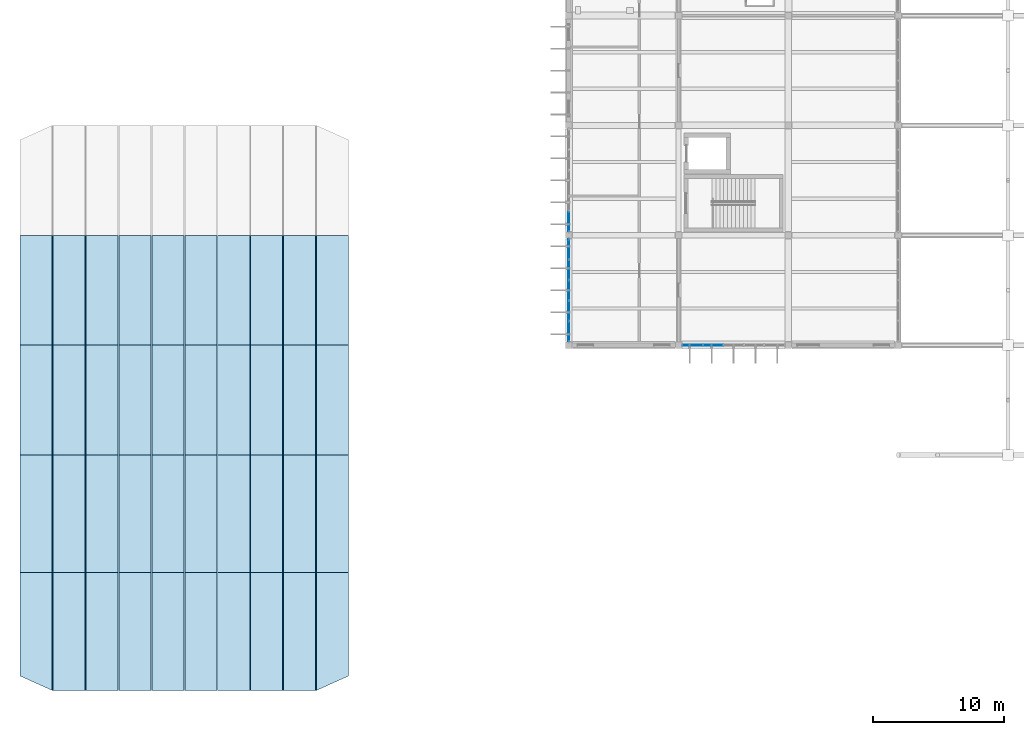
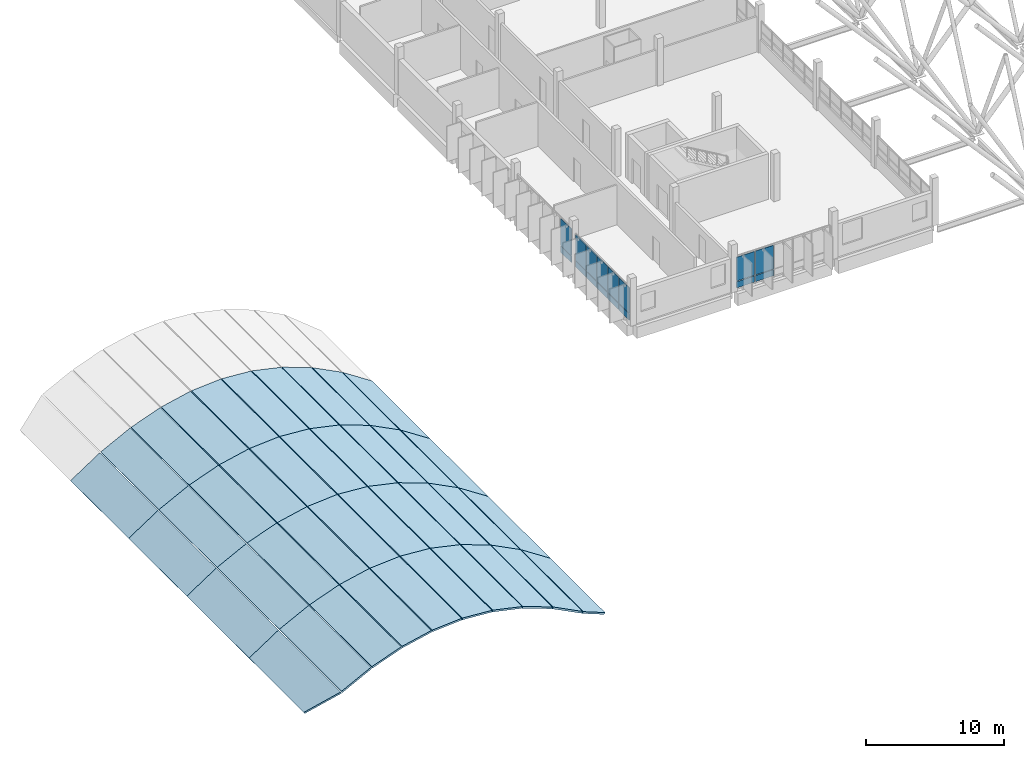
# One storey, part 72 of 107: 40 slabs, 16 plates, 4 elements without a shape of their own.
"""IFC4 building model written with IfcOpenShell, lengths in metres."""

from ifc_helpers import new_model, si_unit, direction, frame, origin, origin_2d, place, context, subcontext, project, spatial, polyline, rectangle, outline, extrude, material, layer, layer_set, type_object, element, aggregate, save


model = new_model("IFC4")

# Units and contexts
model_context = context("Model", 3, precision=1e-05, world=origin(), true_north=direction((0.0, 1.0)))
body_context = subcontext(model_context, "Body", "Model", "MODEL_VIEW")
ifc_project = project(units=[si_unit("LENGTHUNIT", "METRE"), si_unit("AREAUNIT", "SQUARE_METRE"), si_unit("VOLUMEUNIT", "CUBIC_METRE"), si_unit("PLANEANGLEUNIT", "RADIAN"), si_unit("MASSUNIT", "GRAM", prefix="KILO")], contexts=[model_context])

# Site, building, storey
site_placement = place(None, origin())
site = spatial("IfcSite", under=ifc_project, at=site_placement, CompositionType="ELEMENT")
building_placement = place(site_placement, origin())
building = spatial("IfcBuilding", under=site, at=building_placement, Name="Vireocrest Preparatory School", CompositionType="ELEMENT")
storey_placement = place(building_placement, frame((0.0, 0.0, 13.199951171875)))
storey = spatial("IfcBuildingStorey", under=building, at=storey_placement, Name="L03", CompositionType="ELEMENT", Elevation=13.199951171875)

# Curtain wall, plates
ifc_material_1 = material(Name="Thermally broken aluminium EN AW-6063-T6", Category="aluminium")
ifc_layer_1 = layer(ifc_material_1, 0.179931640625)
ifc_layer_set_1 = layer_set([ifc_layer_1], Name="Thermally broken aluminium EN AW-6063-T6")
curtain_wall_type_1 = type_object("IfcCurtainWallType", Name="Teaching Fin Curtain Wall 8400x4200", PredefinedType="USERDEFINED", material=ifc_layer_set_1)
curtain_wall_1_placement = place(storey_placement, origin())
curtain_wall_1 = element("IfcCurtainWall", 1, at=curtain_wall_1_placement, inside=storey, type_object=curtain_wall_type_1, Name="Curtain Wall CW03 CW_L03_CW03_0420_0356_132", ObjectType="CURTAIN WALL", PredefinedType="USERDEFINED")
ifc_material_2 = material(Name="Insulated triple low-e tempered safety glass", Category="glass")
ifc_layer_2 = layer(ifc_material_2, 0.074951171875)
ifc_layer_set_2 = layer_set([ifc_layer_2], Name="Insulated triple low-e tempered safety glass")
plate_type = type_object("IfcPlateType", Name="Acoustic Triple-Glazed Lab Curtain Panel 75", PredefinedType="CURTAIN_PANEL", material=ifc_layer_set_2)
plate_1_placement = place(storey_placement, frame((42.0, 36.468017578125, 0.12744140625), z_axis=(0.0, 0.0, 1.0), x_axis=(0.0, 1.0, 0.0)))
plate_1 = element("IfcPlate", 2, at=plate_1_placement, type_object=plate_type, Name="CW Panel GL2 CW_L03_CW03_0420_0356_132-1-1", PredefinedType="CURTAIN_PANEL", context=body_context, shape_type="SweptSolid", body=[
    extrude(rectangle(XDim=1.5009765625, YDim=0.074951171875, at=origin_2d()), origin(), (0.0, 0.0, 1.0), 0.5400390625),
])
plate_2_placement = place(storey_placement, frame((42.0, 36.468017578125, 0.732421875), z_axis=(0.0, 0.0, 1.0), x_axis=(0.0, 1.0, 0.0)))
plate_2 = element("IfcPlate", 3, at=plate_2_placement, type_object=plate_type, Name="CW Panel GL2 CW_L03_CW03_0420_0356_132-1-2", PredefinedType="CURTAIN_PANEL", context=body_context, shape_type="SweptSolid", body=[
    extrude(rectangle(XDim=1.5009765625, YDim=0.074951171875, at=origin_2d()), origin(), (0.0, 0.0, 1.0), 2.239990234375),
])
plate_3_placement = place(storey_placement, frame((42.0, 38.033935546875, 0.12744140625), z_axis=(0.0, 0.0, 1.0), x_axis=(0.0, 1.0, 0.0)))
plate_3 = element("IfcPlate", 4, at=plate_3_placement, type_object=plate_type, Name="CW Panel GL2 CW_L03_CW03_0420_0356_132-2-1", PredefinedType="CURTAIN_PANEL", context=body_context, shape_type="SweptSolid", body=[
    extrude(rectangle(XDim=1.5009765625, YDim=0.074951171875, at=origin_2d()), origin(), (0.0, 0.0, 1.0), 0.5400390625),
])
plate_4_placement = place(storey_placement, frame((42.0, 38.033935546875, 0.732421875), z_axis=(0.0, 0.0, 1.0), x_axis=(0.0, 1.0, 0.0)))
plate_4 = element("IfcPlate", 5, at=plate_4_placement, type_object=plate_type, Name="CW Panel GL2 CW_L03_CW03_0420_0356_132-2-2", PredefinedType="CURTAIN_PANEL", context=body_context, shape_type="SweptSolid", body=[
    extrude(rectangle(XDim=1.5009765625, YDim=0.074951171875, at=origin_2d()), origin(), (0.0, 0.0, 1.0), 2.239990234375),
])
plate_5_placement = place(storey_placement, frame((42.0, 39.60009765625, 0.12744140625), z_axis=(0.0, 0.0, 1.0), x_axis=(0.0, 1.0, 0.0)))
plate_5 = element("IfcPlate", 6, at=plate_5_placement, type_object=plate_type, Name="CW Panel GL2 CW_L03_CW03_0420_0356_132-3-1", PredefinedType="CURTAIN_PANEL", context=body_context, shape_type="SweptSolid", body=[
    extrude(rectangle(XDim=1.5009765625, YDim=0.074951171875, at=origin_2d()), origin(), (0.0, 0.0, 1.0), 0.5400390625),
])
plate_6_placement = place(storey_placement, frame((42.0, 39.60009765625, 0.732421875), z_axis=(0.0, 0.0, 1.0), x_axis=(0.0, 1.0, 0.0)))
plate_6 = element("IfcPlate", 7, at=plate_6_placement, type_object=plate_type, Name="CW Panel GL2 CW_L03_CW03_0420_0356_132-3-2", PredefinedType="CURTAIN_PANEL", context=body_context, shape_type="SweptSolid", body=[
    extrude(rectangle(XDim=1.5009765625, YDim=0.074951171875, at=origin_2d()), origin(), (0.0, 0.0, 1.0), 2.239990234375),
])
plate_7_placement = place(storey_placement, frame((42.0, 41.166015625, 0.12744140625), z_axis=(0.0, 0.0, 1.0), x_axis=(0.0, 1.0, 0.0)))
plate_7 = element("IfcPlate", 8, at=plate_7_placement, type_object=plate_type, Name="CW Panel GL2 CW_L03_CW03_0420_0356_132-4-1", PredefinedType="CURTAIN_PANEL", context=body_context, shape_type="SweptSolid", body=[
    extrude(rectangle(XDim=1.5009765625, YDim=0.074951171875, at=origin_2d()), origin(), (0.0, 0.0, 1.0), 0.5400390625),
])
plate_8_placement = place(storey_placement, frame((42.0, 41.166015625, 0.732421875), z_axis=(0.0, 0.0, 1.0), x_axis=(0.0, 1.0, 0.0)))
plate_8 = element("IfcPlate", 9, at=plate_8_placement, type_object=plate_type, Name="CW Panel GL2 CW_L03_CW03_0420_0356_132-4-2", PredefinedType="CURTAIN_PANEL", context=body_context, shape_type="SweptSolid", body=[
    extrude(rectangle(XDim=1.5009765625, YDim=0.074951171875, at=origin_2d()), origin(), (0.0, 0.0, 1.0), 2.239990234375),
])
plate_9_placement = place(storey_placement, frame((42.0, 42.73193359375, 0.12744140625), z_axis=(0.0, 0.0, 1.0), x_axis=(0.0, 1.0, 0.0)))
plate_9 = element("IfcPlate", 10, at=plate_9_placement, type_object=plate_type, Name="CW Panel GL2 CW_L03_CW03_0420_0356_132-5-1", PredefinedType="CURTAIN_PANEL", context=body_context, shape_type="SweptSolid", body=[
    extrude(rectangle(XDim=1.5009765625, YDim=0.074951171875, at=origin_2d()), origin(), (0.0, 0.0, 1.0), 0.5400390625),
])
plate_10_placement = place(storey_placement, frame((42.0, 42.73193359375, 0.732421875), z_axis=(0.0, 0.0, 1.0), x_axis=(0.0, 1.0, 0.0)))
plate_10 = element("IfcPlate", 11, at=plate_10_placement, type_object=plate_type, Name="CW Panel GL2 CW_L03_CW03_0420_0356_132-5-2", PredefinedType="CURTAIN_PANEL", context=body_context, shape_type="SweptSolid", body=[
    extrude(rectangle(XDim=1.5009765625, YDim=0.074951171875, at=origin_2d()), origin(), (0.0, 0.0, 1.0), 2.239990234375),
])
aggregate(curtain_wall_1, [plate_1, plate_2, plate_3, plate_4, plate_5, plate_6, plate_7, plate_8, plate_9, plate_10])

curtain_wall_2_placement = place(storey_placement, origin())
curtain_wall_2 = element("IfcCurtainWall", 12, at=curtain_wall_2_placement, inside=storey, type_object=curtain_wall_type_1, Name="Curtain Wall CW03 CW_L03_CW03_0420_0440_132", ObjectType="CURTAIN WALL", PredefinedType="USERDEFINED")
plate_11_placement = place(storey_placement, frame((42.0, 44.867919921875, 0.12744140625), z_axis=(0.0, 0.0, 1.0), x_axis=(0.0, 1.0, 0.0)))
plate_11 = element("IfcPlate", 13, at=plate_11_placement, type_object=plate_type, Name="CW Panel GL2 CW_L03_CW03_0420_0440_132-1-1", PredefinedType="CURTAIN_PANEL", context=body_context, shape_type="SweptSolid", body=[
    extrude(rectangle(XDim=1.5009765625, YDim=0.074951171875, at=origin_2d()), origin(), (0.0, 0.0, 1.0), 0.5400390625),
])
plate_12_placement = place(storey_placement, frame((42.0, 44.867919921875, 0.732421875), z_axis=(0.0, 0.0, 1.0), x_axis=(0.0, 1.0, 0.0)))
plate_12 = element("IfcPlate", 14, at=plate_12_placement, type_object=plate_type, Name="CW Panel GL2 CW_L03_CW03_0420_0440_132-1-2", PredefinedType="CURTAIN_PANEL", context=body_context, shape_type="SweptSolid", body=[
    extrude(rectangle(XDim=1.5009765625, YDim=0.074951171875, at=origin_2d()), origin(), (0.0, 0.0, 1.0), 2.3701171875),
])
aggregate(curtain_wall_2, [plate_11, plate_12])

ifc_layer_3 = layer(ifc_material_1, 0.179931640625)
ifc_layer_set_3 = layer_set([ifc_layer_3], Name="Thermally broken aluminium EN AW-6063-T6")
curtain_wall_type_2 = type_object("IfcCurtainWallType", Name="Library Reading Bay Glazing 7600x4200", PredefinedType="USERDEFINED", material=ifc_layer_set_3)
curtain_wall_3_placement = place(storey_placement, origin())
curtain_wall_3 = element("IfcCurtainWall", 15, at=curtain_wall_3_placement, inside=storey, type_object=curtain_wall_type_2, Name="Curtain Wall CW16 CW_L03_CW16_0506_0354_132", ObjectType="CURTAIN WALL", PredefinedType="USERDEFINED")
plate_13_placement = place(storey_placement, frame((51.468017578125, 35.39990234375, 0.12744140625), z_axis=(0.0, 0.0, 1.0), x_axis=(1.0, 0.0, 0.0)))
plate_13 = element("IfcPlate", 16, at=plate_13_placement, type_object=plate_type, Name="CW Panel GL2 CW_L03_CW16_0506_0354_132-1-1", PredefinedType="CURTAIN_PANEL", context=body_context, shape_type="SweptSolid", body=[
    extrude(rectangle(XDim=1.5009765625, YDim=0.074951171875, at=origin_2d()), origin(), (0.0, 0.0, 1.0), 0.5400390625),
])
plate_14_placement = place(storey_placement, frame((51.468017578125, 35.39990234375, 0.732421875), z_axis=(0.0, 0.0, 1.0), x_axis=(1.0, 0.0, 0.0)))
plate_14 = element("IfcPlate", 17, at=plate_14_placement, type_object=plate_type, Name="CW Panel GL2 CW_L03_CW16_0506_0354_132-1-2", PredefinedType="CURTAIN_PANEL", context=body_context, shape_type="SweptSolid", body=[
    extrude(rectangle(XDim=1.5009765625, YDim=0.074951171875, at=origin_2d()), origin(), (0.0, 0.0, 1.0), 2.090087890625),
])
plate_15_placement = place(storey_placement, frame((53.033935546875, 35.39990234375, 0.12744140625), z_axis=(0.0, 0.0, 1.0), x_axis=(1.0, 0.0, 0.0)))
plate_15 = element("IfcPlate", 18, at=plate_15_placement, type_object=plate_type, Name="CW Panel GL2 CW_L03_CW16_0506_0354_132-2-1", PredefinedType="CURTAIN_PANEL", context=body_context, shape_type="SweptSolid", body=[
    extrude(rectangle(XDim=1.5009765625, YDim=0.074951171875, at=origin_2d()), origin(), (0.0, 0.0, 1.0), 0.5400390625),
])
plate_16_placement = place(storey_placement, frame((53.033935546875, 35.39990234375, 0.732421875), z_axis=(0.0, 0.0, 1.0), x_axis=(1.0, 0.0, 0.0)))
plate_16 = element("IfcPlate", 19, at=plate_16_placement, type_object=plate_type, Name="CW Panel GL2 CW_L03_CW16_0506_0354_132-2-2", PredefinedType="CURTAIN_PANEL", context=body_context, shape_type="SweptSolid", body=[
    extrude(rectangle(XDim=1.5009765625, YDim=0.074951171875, at=origin_2d()), origin(), (0.0, 0.0, 1.0), 2.090087890625),
])
aggregate(curtain_wall_3, [plate_13, plate_14, plate_15, plate_16])

# Roof, slabs
ifc_material_3 = material(Name="Structural steel ASTM A992 Grade 50", Category="steel")
ifc_layer_4 = layer(ifc_material_3, 0.159912109375)
ifc_layer_set_4 = layer_set([ifc_layer_4], Name="Structural steel ASTM A992 Grade 50")
roof_type = type_object("IfcRoofType", Name="Exposed Steel Barrel Vault Roof Assembly", PredefinedType="BARREL_ROOF", material=ifc_layer_set_4)
roof_placement = place(storey_placement, origin())
roof = element("IfcRoof", 20, at=roof_placement, inside=storey, type_object=roof_type, Name="Sports Hall Barrel Vault Roof", PredefinedType="BARREL_ROOF")
ifc_material_4 = material(Name="Concrete 40 MPa", Category="concrete")
ifc_layer_5 = layer(ifc_material_4, 0.159912109375)
ifc_layer_set_5 = layer_set([ifc_layer_5], Name="Concrete 40 MPa")
slab_type = type_object("IfcSlabType", Name="Barrel Vault Insulated Composite Roof Deck 160", PredefinedType="ROOF", material=ifc_layer_set_5)
slab_1_placement = place(storey_placement, frame((0.034912109375, 10.10009765625, -4.232421875), z_axis=(-0.549114740494, 0.0, 0.835746972338), x_axis=(0.782473358363, -0.351317751374, 0.514112128841)))
slab_1 = element("IfcSlab", 21, at=slab_1_placement, type_object=slab_type, Name="Sports Hall Barrel Vault Roof Barrel Vault Roof Slab 1-1", PredefinedType="ROOF", context=body_context, shape_type="SweptSolid", body=[
    extrude(outline(polyline([(0.0, 0.0), (3.1313466283694518, 5.551115123125783e-17), (-0.030513133992776775, 8.426306595606087), (-2.775375927477132, 7.396333247087179), (0.0, 0.0)])), origin(), (0.0, 0.0, -1.0), 0.159912109375),
])
slab_2_placement = place(storey_placement, frame((2.554931640625, 9.0, -2.58154296875), z_axis=(-0.455111059789, 0.0, 0.890434682196), x_axis=(0.890434682196, 0.0, 0.455111059789)))
slab_2 = element("IfcSlab", 22, at=slab_2_placement, type_object=slab_type, Name="Sports Hall Barrel Vault Roof Barrel Vault Roof Slab 1-2", PredefinedType="ROOF", context=body_context, shape_type="SweptSolid", body=[
    extrude(outline(polyline([(0.0, 0.0), (2.7514103177480473, 0.0), (2.7514103177480473, 9.0), (0.0, 9.0), (0.0, 0.0)])), origin(), (0.0, 0.0, -1.0), 0.159912109375),
])
slab_3_placement = place(storey_placement, frame((5.074951171875, 9.0, -1.298583984375), z_axis=(-0.342892773142, 0.0, 0.9393745505), x_axis=(0.9393745505, 0.0, 0.342892773142)))
slab_3 = element("IfcSlab", 23, at=slab_3_placement, type_object=slab_type, Name="Sports Hall Barrel Vault Roof Barrel Vault Roof Slab 1-3", PredefinedType="ROOF", context=body_context, shape_type="SweptSolid", body=[
    extrude(outline(polyline([(0.0, 0.0), (2.6080663677456486, 0.0), (2.6080663677456486, 9.0), (0.0, 9.0), (0.0, 0.0)])), origin(), (0.0, 0.0, -1.0), 0.159912109375),
])
slab_4_placement = place(storey_placement, frame((7.594970703125, 9.0, -0.3837890625), z_axis=(-0.213961050229, 0.0, 0.976842192468), x_axis=(0.976842192468, 0.0, 0.213961050229)))
slab_4 = element("IfcSlab", 24, at=slab_4_placement, type_object=slab_type, Name="Sports Hall Barrel Vault Roof Barrel Vault Roof Slab 1-4", PredefinedType="ROOF", context=body_context, shape_type="SweptSolid", body=[
    extrude(outline(polyline([(0.0, 0.0), (2.5080316869667203, 0.0), (2.5080316869667203, 9.000000000000002), (0.0, 9.000000000000002), (0.0, 0.0)])), origin(), (0.0, 0.0, -1.0), 0.159912109375),
])
slab_5_placement = place(storey_placement, frame((10.114990234375, 9.0, 0.1630859375), z_axis=(-0.072850257923, 0.0, 0.997342889843), x_axis=(0.997342889843, 0.0, 0.072850257923)))
slab_5 = element("IfcSlab", 25, at=slab_5_placement, type_object=slab_type, Name="Sports Hall Barrel Vault Roof Barrel Vault Roof Slab 1-5", PredefinedType="ROOF", context=body_context, shape_type="SweptSolid", body=[
    extrude(outline(polyline([(0.0, 0.0), (2.4564783053302977, 0.0), (2.4564783053302977, 9.0), (0.0, 9.0), (0.0, 0.0)])), origin(), (0.0, 0.0, -1.0), 0.159912109375),
])
slab_6_placement = place(storey_placement, frame((12.635009765625, 9.0, 0.342041015625), z_axis=(0.072850257923, 0.0, 0.997342889843), x_axis=(0.997342889843, 0.0, -0.072850257923)))
slab_6 = element("IfcSlab", 26, at=slab_6_placement, type_object=slab_type, Name="Sports Hall Barrel Vault Roof Barrel Vault Roof Slab 1-6", PredefinedType="ROOF", context=body_context, shape_type="SweptSolid", body=[
    extrude(outline(polyline([(0.0, 0.0), (2.4564783053302977, 0.0), (2.4564783053302977, 9.0), (0.0, 9.0), (0.0, 0.0)])), origin(), (0.0, 0.0, -1.0), 0.159912109375),
])
slab_7_placement = place(storey_placement, frame((15.155029296875, 9.0, 0.15283203125), z_axis=(0.213961050229, 0.0, 0.976842192468), x_axis=(0.976842192468, 0.0, -0.213961050229)))
slab_7 = element("IfcSlab", 27, at=slab_7_placement, type_object=slab_type, Name="Sports Hall Barrel Vault Roof Barrel Vault Roof Slab 1-7", PredefinedType="ROOF", context=body_context, shape_type="SweptSolid", body=[
    extrude(outline(polyline([(0.0, 0.0), (2.5080316869667203, 0.0), (2.5080316869667203, 9.000000000000002), (0.0, 9.000000000000002), (0.0, 0.0)])), origin(), (0.0, 0.0, -1.0), 0.159912109375),
])
slab_8_placement = place(storey_placement, frame((17.675048828125, 9.0, -0.404296875), z_axis=(0.342892773142, 0.0, 0.9393745505), x_axis=(0.9393745505, 0.0, -0.342892773142)))
slab_8 = element("IfcSlab", 28, at=slab_8_placement, type_object=slab_type, Name="Sports Hall Barrel Vault Roof Barrel Vault Roof Slab 1-8", PredefinedType="ROOF", context=body_context, shape_type="SweptSolid", body=[
    extrude(outline(polyline([(0.0, 0.0), (2.6080663677456486, 0.0), (2.6080663677456486, 9.0), (0.0, 9.0), (0.0, 0.0)])), origin(), (0.0, 0.0, -1.0), 0.159912109375),
])
slab_9_placement = place(storey_placement, frame((20.195068359375, 9.0, -1.329345703125), z_axis=(0.455111059789, 0.0, 0.890434682196), x_axis=(0.890434682196, 0.0, -0.455111059789)))
slab_9 = element("IfcSlab", 29, at=slab_9_placement, type_object=slab_type, Name="Sports Hall Barrel Vault Roof Barrel Vault Roof Slab 1-9", PredefinedType="ROOF", context=body_context, shape_type="SweptSolid", body=[
    extrude(outline(polyline([(0.0, 0.0), (2.7514103177480473, 0.0), (2.7514103177480473, 9.0), (0.0, 9.0), (0.0, 0.0)])), origin(), (0.0, 0.0, -1.0), 0.159912109375),
])
slab_10_placement = place(storey_placement, frame((22.715087890625, 9.0, -2.62255859375), z_axis=(0.549152959182, 0.0, 0.835721860084), x_axis=(0.782443125161, 0.35133918505, -0.5141434945)))
slab_10 = element("IfcSlab", 30, at=slab_10_placement, type_object=slab_type, Name="Sports Hall Barrel Vault Roof Barrel Vault Roof Slab 1-10", PredefinedType="ROOF", context=body_context, shape_type="SweptSolid", body=[
    extrude(outline(polyline([(0.0, 0.0), (3.1311555985251585, -5.551115123125783e-17), (5.90670084995142, 7.396269708310524), (3.1620526654483494, 8.426234208763185), (0.0, 0.0)])), origin(), (0.0, 0.0, -1.0), 0.159912109375),
])
slab_11_placement = place(storey_placement, frame((0.034912109375, 18.0, -4.232421875), z_axis=(-0.549114740494, 0.0, 0.835746972338), x_axis=(0.835746972338, 0.0, 0.549114740494)))
slab_11 = element("IfcSlab", 31, at=slab_11_placement, type_object=slab_type, Name="Sports Hall Barrel Vault Roof Barrel Vault Roof Slab 2-1", PredefinedType="ROOF", context=body_context, shape_type="SweptSolid", body=[
    extrude(outline(polyline([(0.0, 0.0), (2.9317429719731556, 0.0), (2.9317429719731556, 9.0), (0.0, 9.0), (0.0, 0.0)])), origin(), (0.0, 0.0, -1.0), 0.159912109375),
])
slab_12_placement = place(storey_placement, frame((2.554931640625, 18.0, -2.58154296875), z_axis=(-0.455111059789, 0.0, 0.890434682196), x_axis=(0.890434682196, 0.0, 0.455111059789)))
slab_12 = element("IfcSlab", 32, at=slab_12_placement, type_object=slab_type, Name="Sports Hall Barrel Vault Roof Barrel Vault Roof Slab 2-2", PredefinedType="ROOF", context=body_context, shape_type="SweptSolid", body=[
    extrude(outline(polyline([(0.0, 0.0), (2.7514103177480473, 0.0), (2.7514103177480473, 9.0), (0.0, 9.0), (0.0, 0.0)])), origin(), (0.0, 0.0, -1.0), 0.159912109375),
])
slab_13_placement = place(storey_placement, frame((5.074951171875, 18.0, -1.298583984375), z_axis=(-0.342892773142, 0.0, 0.9393745505), x_axis=(0.9393745505, 0.0, 0.342892773142)))
slab_13 = element("IfcSlab", 33, at=slab_13_placement, type_object=slab_type, Name="Sports Hall Barrel Vault Roof Barrel Vault Roof Slab 2-3", PredefinedType="ROOF", context=body_context, shape_type="SweptSolid", body=[
    extrude(outline(polyline([(0.0, 0.0), (2.6080663677456486, 0.0), (2.6080663677456486, 9.0), (0.0, 9.0), (0.0, 0.0)])), origin(), (0.0, 0.0, -1.0), 0.159912109375),
])
slab_14_placement = place(storey_placement, frame((7.594970703125, 18.0, -0.3837890625), z_axis=(-0.213961050229, 0.0, 0.976842192468), x_axis=(0.976842192468, 0.0, 0.213961050229)))
slab_14 = element("IfcSlab", 34, at=slab_14_placement, type_object=slab_type, Name="Sports Hall Barrel Vault Roof Barrel Vault Roof Slab 2-4", PredefinedType="ROOF", context=body_context, shape_type="SweptSolid", body=[
    extrude(outline(polyline([(0.0, 0.0), (2.5080316869667203, 0.0), (2.5080316869667203, 9.000000000000002), (0.0, 9.000000000000002), (0.0, 0.0)])), origin(), (0.0, 0.0, -1.0), 0.159912109375),
])
slab_15_placement = place(storey_placement, frame((10.114990234375, 18.0, 0.1630859375), z_axis=(-0.072850257923, 0.0, 0.997342889843), x_axis=(0.997342889843, 0.0, 0.072850257923)))
slab_15 = element("IfcSlab", 35, at=slab_15_placement, type_object=slab_type, Name="Sports Hall Barrel Vault Roof Barrel Vault Roof Slab 2-5", PredefinedType="ROOF", context=body_context, shape_type="SweptSolid", body=[
    extrude(outline(polyline([(0.0, 0.0), (2.4564783053302977, 0.0), (2.4564783053302977, 9.0), (0.0, 9.0), (0.0, 0.0)])), origin(), (0.0, 0.0, -1.0), 0.159912109375),
])
slab_16_placement = place(storey_placement, frame((12.635009765625, 18.0, 0.342041015625), z_axis=(0.072850257923, 0.0, 0.997342889843), x_axis=(0.997342889843, 0.0, -0.072850257923)))
slab_16 = element("IfcSlab", 36, at=slab_16_placement, type_object=slab_type, Name="Sports Hall Barrel Vault Roof Barrel Vault Roof Slab 2-6", PredefinedType="ROOF", context=body_context, shape_type="SweptSolid", body=[
    extrude(outline(polyline([(0.0, 0.0), (2.4564783053302977, 0.0), (2.4564783053302977, 9.0), (0.0, 9.0), (0.0, 0.0)])), origin(), (0.0, 0.0, -1.0), 0.159912109375),
])
slab_17_placement = place(storey_placement, frame((15.155029296875, 18.0, 0.15283203125), z_axis=(0.213961050229, 0.0, 0.976842192468), x_axis=(0.976842192468, 0.0, -0.213961050229)))
slab_17 = element("IfcSlab", 37, at=slab_17_placement, type_object=slab_type, Name="Sports Hall Barrel Vault Roof Barrel Vault Roof Slab 2-7", PredefinedType="ROOF", context=body_context, shape_type="SweptSolid", body=[
    extrude(outline(polyline([(0.0, 0.0), (2.5080316869667203, 0.0), (2.5080316869667203, 9.000000000000002), (0.0, 9.000000000000002), (0.0, 0.0)])), origin(), (0.0, 0.0, -1.0), 0.159912109375),
])
slab_18_placement = place(storey_placement, frame((17.675048828125, 18.0, -0.404296875), z_axis=(0.342892773142, 0.0, 0.9393745505), x_axis=(0.9393745505, 0.0, -0.342892773142)))
slab_18 = element("IfcSlab", 38, at=slab_18_placement, type_object=slab_type, Name="Sports Hall Barrel Vault Roof Barrel Vault Roof Slab 2-8", PredefinedType="ROOF", context=body_context, shape_type="SweptSolid", body=[
    extrude(outline(polyline([(0.0, 0.0), (2.6080663677456486, 0.0), (2.6080663677456486, 9.0), (0.0, 9.0), (0.0, 0.0)])), origin(), (0.0, 0.0, -1.0), 0.159912109375),
])
slab_19_placement = place(storey_placement, frame((20.195068359375, 18.0, -1.329345703125), z_axis=(0.455111059789, 0.0, 0.890434682196), x_axis=(0.890434682196, 0.0, -0.455111059789)))
slab_19 = element("IfcSlab", 39, at=slab_19_placement, type_object=slab_type, Name="Sports Hall Barrel Vault Roof Barrel Vault Roof Slab 2-9", PredefinedType="ROOF", context=body_context, shape_type="SweptSolid", body=[
    extrude(outline(polyline([(0.0, 0.0), (2.7514103177480473, 0.0), (2.7514103177480473, 9.0), (0.0, 9.0), (0.0, 0.0)])), origin(), (0.0, 0.0, -1.0), 0.159912109375),
])
slab_20_placement = place(storey_placement, frame((22.715087890625, 18.0, -2.62255859375), z_axis=(0.549152959182, 0.0, 0.835721860084), x_axis=(0.835721860084, 0.0, -0.549152959182)))
slab_20 = element("IfcSlab", 40, at=slab_20_placement, type_object=slab_type, Name="Sports Hall Barrel Vault Roof Barrel Vault Roof Slab 2-10", PredefinedType="ROOF", context=body_context, shape_type="SweptSolid", body=[
    extrude(outline(polyline([(0.0, 0.0), (2.931538935250341, 0.0), (2.931538935250341, 9.0), (0.0, 9.0), (0.0, 0.0)])), origin(), (0.0, 0.0, -1.0), 0.159912109375),
])
slab_21_placement = place(storey_placement, frame((0.034912109375, 27.0, -4.232421875), z_axis=(-0.549114740494, 0.0, 0.835746972338), x_axis=(0.835746972338, 0.0, 0.549114740494)))
slab_21 = element("IfcSlab", 41, at=slab_21_placement, type_object=slab_type, Name="Sports Hall Barrel Vault Roof Barrel Vault Roof Slab 3-1", PredefinedType="ROOF", context=body_context, shape_type="SweptSolid", body=[
    extrude(outline(polyline([(0.0, 0.0), (2.9317429719731556, 0.0), (2.9317429719731556, 8.39990234375), (0.0, 8.39990234375), (0.0, 0.0)])), origin(), (0.0, 0.0, -1.0), 0.159912109375),
])
slab_22_placement = place(storey_placement, frame((2.554931640625, 27.0, -2.58154296875), z_axis=(-0.455111059789, 0.0, 0.890434682196), x_axis=(0.890434682196, 0.0, 0.455111059789)))
slab_22 = element("IfcSlab", 42, at=slab_22_placement, type_object=slab_type, Name="Sports Hall Barrel Vault Roof Barrel Vault Roof Slab 3-2", PredefinedType="ROOF", context=body_context, shape_type="SweptSolid", body=[
    extrude(outline(polyline([(0.0, 0.0), (2.7514103177480473, 0.0), (2.7514103177480473, 8.39990234375), (0.0, 8.39990234375), (0.0, 0.0)])), origin(), (0.0, 0.0, -1.0), 0.159912109375),
])
slab_23_placement = place(storey_placement, frame((5.074951171875, 27.0, -1.298583984375), z_axis=(-0.342892773142, 0.0, 0.9393745505), x_axis=(0.9393745505, 0.0, 0.342892773142)))
slab_23 = element("IfcSlab", 43, at=slab_23_placement, type_object=slab_type, Name="Sports Hall Barrel Vault Roof Barrel Vault Roof Slab 3-3", PredefinedType="ROOF", context=body_context, shape_type="SweptSolid", body=[
    extrude(outline(polyline([(0.0, 0.0), (2.6080663677456486, 0.0), (2.6080663677456486, 8.399902343750002), (0.0, 8.399902343750002), (0.0, 0.0)])), origin(), (0.0, 0.0, -1.0), 0.159912109375),
])
slab_24_placement = place(storey_placement, frame((7.594970703125, 27.0, -0.3837890625), z_axis=(-0.213961050229, 0.0, 0.976842192468), x_axis=(0.976842192468, 0.0, 0.213961050229)))
slab_24 = element("IfcSlab", 44, at=slab_24_placement, type_object=slab_type, Name="Sports Hall Barrel Vault Roof Barrel Vault Roof Slab 3-4", PredefinedType="ROOF", context=body_context, shape_type="SweptSolid", body=[
    extrude(outline(polyline([(0.0, 0.0), (2.5080316869667203, 0.0), (2.5080316869667203, 8.39990234375), (0.0, 8.39990234375), (0.0, 0.0)])), origin(), (0.0, 0.0, -1.0), 0.159912109375),
])
slab_25_placement = place(storey_placement, frame((10.114990234375, 27.0, 0.1630859375), z_axis=(-0.072850257923, 0.0, 0.997342889843), x_axis=(0.997342889843, 0.0, 0.072850257923)))
slab_25 = element("IfcSlab", 45, at=slab_25_placement, type_object=slab_type, Name="Sports Hall Barrel Vault Roof Barrel Vault Roof Slab 3-5", PredefinedType="ROOF", context=body_context, shape_type="SweptSolid", body=[
    extrude(outline(polyline([(0.0, 0.0), (2.4564783053302977, 0.0), (2.4564783053302977, 8.399902343750002), (0.0, 8.399902343750002), (0.0, 0.0)])), origin(), (0.0, 0.0, -1.0), 0.159912109375),
])
slab_26_placement = place(storey_placement, frame((12.635009765625, 27.0, 0.342041015625), z_axis=(0.072850257923, 0.0, 0.997342889843), x_axis=(0.997342889843, 0.0, -0.072850257923)))
slab_26 = element("IfcSlab", 46, at=slab_26_placement, type_object=slab_type, Name="Sports Hall Barrel Vault Roof Barrel Vault Roof Slab 3-6", PredefinedType="ROOF", context=body_context, shape_type="SweptSolid", body=[
    extrude(outline(polyline([(0.0, 0.0), (2.4564783053302977, 0.0), (2.4564783053302977, 8.399902343750002), (0.0, 8.399902343750002), (0.0, 0.0)])), origin(), (0.0, 0.0, -1.0), 0.159912109375),
])
slab_27_placement = place(storey_placement, frame((15.155029296875, 27.0, 0.15283203125), z_axis=(0.213961050229, 0.0, 0.976842192468), x_axis=(0.976842192468, 0.0, -0.213961050229)))
slab_27 = element("IfcSlab", 47, at=slab_27_placement, type_object=slab_type, Name="Sports Hall Barrel Vault Roof Barrel Vault Roof Slab 3-7", PredefinedType="ROOF", context=body_context, shape_type="SweptSolid", body=[
    extrude(outline(polyline([(0.0, 0.0), (2.5080316869667203, 0.0), (2.5080316869667203, 8.39990234375), (0.0, 8.39990234375), (0.0, 0.0)])), origin(), (0.0, 0.0, -1.0), 0.159912109375),
])
slab_28_placement = place(storey_placement, frame((17.675048828125, 27.0, -0.404296875), z_axis=(0.342892773142, 0.0, 0.9393745505), x_axis=(0.9393745505, 0.0, -0.342892773142)))
slab_28 = element("IfcSlab", 48, at=slab_28_placement, type_object=slab_type, Name="Sports Hall Barrel Vault Roof Barrel Vault Roof Slab 3-8", PredefinedType="ROOF", context=body_context, shape_type="SweptSolid", body=[
    extrude(outline(polyline([(0.0, 0.0), (2.6080663677456486, 0.0), (2.6080663677456486, 8.399902343750002), (0.0, 8.399902343750002), (0.0, 0.0)])), origin(), (0.0, 0.0, -1.0), 0.159912109375),
])
slab_29_placement = place(storey_placement, frame((20.195068359375, 27.0, -1.329345703125), z_axis=(0.455111059789, 0.0, 0.890434682196), x_axis=(0.890434682196, 0.0, -0.455111059789)))
slab_29 = element("IfcSlab", 49, at=slab_29_placement, type_object=slab_type, Name="Sports Hall Barrel Vault Roof Barrel Vault Roof Slab 3-9", PredefinedType="ROOF", context=body_context, shape_type="SweptSolid", body=[
    extrude(outline(polyline([(0.0, 0.0), (2.7514103177480473, 0.0), (2.7514103177480473, 8.39990234375), (0.0, 8.39990234375), (0.0, 0.0)])), origin(), (0.0, 0.0, -1.0), 0.159912109375),
])
slab_30_placement = place(storey_placement, frame((22.715087890625, 27.0, -2.62255859375), z_axis=(0.549152959182, 0.0, 0.835721860084), x_axis=(0.835721860084, 0.0, -0.549152959182)))
slab_30 = element("IfcSlab", 50, at=slab_30_placement, type_object=slab_type, Name="Sports Hall Barrel Vault Roof Barrel Vault Roof Slab 3-10", PredefinedType="ROOF", context=body_context, shape_type="SweptSolid", body=[
    extrude(outline(polyline([(0.0, 0.0), (2.931538935250341, 0.0), (2.931538935250341, 8.39990234375), (0.0, 8.39990234375), (0.0, 0.0)])), origin(), (0.0, 0.0, -1.0), 0.159912109375),
])
slab_31_placement = place(storey_placement, frame((0.034912109375, 35.39990234375, -4.232421875), z_axis=(-0.549114740494, 0.0, 0.835746972338), x_axis=(0.835746972338, 0.0, 0.549114740494)))
slab_31 = element("IfcSlab", 51, at=slab_31_placement, type_object=slab_type, Name="Sports Hall Barrel Vault Roof Barrel Vault Roof Slab 4-1", PredefinedType="ROOF", context=body_context, shape_type="SweptSolid", body=[
    extrude(outline(polyline([(0.0, 0.0), (2.9317429719731556, 0.0), (2.9317429719731556, 8.400146484375002), (0.0, 8.400146484375002), (0.0, 0.0)])), origin(), (0.0, 0.0, -1.0), 0.159912109375),
])
slab_32_placement = place(storey_placement, frame((2.554931640625, 35.39990234375, -2.58154296875), z_axis=(-0.455111059789, 0.0, 0.890434682196), x_axis=(0.890434682196, 0.0, 0.455111059789)))
slab_32 = element("IfcSlab", 52, at=slab_32_placement, type_object=slab_type, Name="Sports Hall Barrel Vault Roof Barrel Vault Roof Slab 4-2", PredefinedType="ROOF", context=body_context, shape_type="SweptSolid", body=[
    extrude(outline(polyline([(0.0, 0.0), (2.7514103177480473, 0.0), (2.7514103177480473, 8.400146484375), (0.0, 8.400146484375), (0.0, 0.0)])), origin(), (0.0, 0.0, -1.0), 0.159912109375),
])
slab_33_placement = place(storey_placement, frame((5.074951171875, 35.39990234375, -1.298583984375), z_axis=(-0.342892773142, 0.0, 0.9393745505), x_axis=(0.9393745505, 0.0, 0.342892773142)))
slab_33 = element("IfcSlab", 53, at=slab_33_placement, type_object=slab_type, Name="Sports Hall Barrel Vault Roof Barrel Vault Roof Slab 4-3", PredefinedType="ROOF", context=body_context, shape_type="SweptSolid", body=[
    extrude(outline(polyline([(0.0, 0.0), (2.6080663677456486, 0.0), (2.6080663677456486, 8.400146484375), (0.0, 8.400146484375), (0.0, 0.0)])), origin(), (0.0, 0.0, -1.0), 0.159912109375),
])
slab_34_placement = place(storey_placement, frame((7.594970703125, 35.39990234375, -0.3837890625), z_axis=(-0.213961050229, 0.0, 0.976842192468), x_axis=(0.976842192468, 0.0, 0.213961050229)))
slab_34 = element("IfcSlab", 54, at=slab_34_placement, type_object=slab_type, Name="Sports Hall Barrel Vault Roof Barrel Vault Roof Slab 4-4", PredefinedType="ROOF", context=body_context, shape_type="SweptSolid", body=[
    extrude(outline(polyline([(0.0, 0.0), (2.5080316869667203, 0.0), (2.5080316869667203, 8.400146484375), (0.0, 8.400146484375), (0.0, 0.0)])), origin(), (0.0, 0.0, -1.0), 0.159912109375),
])
slab_35_placement = place(storey_placement, frame((10.114990234375, 35.39990234375, 0.1630859375), z_axis=(-0.072850257923, 0.0, 0.997342889843), x_axis=(0.997342889843, 0.0, 0.072850257923)))
slab_35 = element("IfcSlab", 55, at=slab_35_placement, type_object=slab_type, Name="Sports Hall Barrel Vault Roof Barrel Vault Roof Slab 4-5", PredefinedType="ROOF", context=body_context, shape_type="SweptSolid", body=[
    extrude(outline(polyline([(0.0, 0.0), (2.4564783053302977, 0.0), (2.4564783053302977, 8.400146484375), (0.0, 8.400146484375), (0.0, 0.0)])), origin(), (0.0, 0.0, -1.0), 0.159912109375),
])
slab_36_placement = place(storey_placement, frame((12.635009765625, 35.39990234375, 0.342041015625), z_axis=(0.072850257923, 0.0, 0.997342889843), x_axis=(0.997342889843, 0.0, -0.072850257923)))
slab_36 = element("IfcSlab", 56, at=slab_36_placement, type_object=slab_type, Name="Sports Hall Barrel Vault Roof Barrel Vault Roof Slab 4-6", PredefinedType="ROOF", context=body_context, shape_type="SweptSolid", body=[
    extrude(outline(polyline([(0.0, 0.0), (2.4564783053302977, 0.0), (2.4564783053302977, 8.400146484375), (0.0, 8.400146484375), (0.0, 0.0)])), origin(), (0.0, 0.0, -1.0), 0.159912109375),
])
slab_37_placement = place(storey_placement, frame((15.155029296875, 35.39990234375, 0.15283203125), z_axis=(0.213961050229, 0.0, 0.976842192468), x_axis=(0.976842192468, 0.0, -0.213961050229)))
slab_37 = element("IfcSlab", 57, at=slab_37_placement, type_object=slab_type, Name="Sports Hall Barrel Vault Roof Barrel Vault Roof Slab 4-7", PredefinedType="ROOF", context=body_context, shape_type="SweptSolid", body=[
    extrude(outline(polyline([(0.0, 0.0), (2.5080316869667203, 0.0), (2.5080316869667203, 8.400146484375), (0.0, 8.400146484375), (0.0, 0.0)])), origin(), (0.0, 0.0, -1.0), 0.159912109375),
])
slab_38_placement = place(storey_placement, frame((17.675048828125, 35.39990234375, -0.404296875), z_axis=(0.342892773142, 0.0, 0.9393745505), x_axis=(0.9393745505, 0.0, -0.342892773142)))
slab_38 = element("IfcSlab", 58, at=slab_38_placement, type_object=slab_type, Name="Sports Hall Barrel Vault Roof Barrel Vault Roof Slab 4-8", PredefinedType="ROOF", context=body_context, shape_type="SweptSolid", body=[
    extrude(outline(polyline([(0.0, 0.0), (2.6080663677456486, 0.0), (2.6080663677456486, 8.400146484375), (0.0, 8.400146484375), (0.0, 0.0)])), origin(), (0.0, 0.0, -1.0), 0.159912109375),
])
slab_39_placement = place(storey_placement, frame((20.195068359375, 35.39990234375, -1.329345703125), z_axis=(0.455111059789, 0.0, 0.890434682196), x_axis=(0.890434682196, 0.0, -0.455111059789)))
slab_39 = element("IfcSlab", 59, at=slab_39_placement, type_object=slab_type, Name="Sports Hall Barrel Vault Roof Barrel Vault Roof Slab 4-9", PredefinedType="ROOF", context=body_context, shape_type="SweptSolid", body=[
    extrude(outline(polyline([(0.0, 0.0), (2.7514103177480473, 0.0), (2.7514103177480473, 8.400146484375), (0.0, 8.400146484375), (0.0, 0.0)])), origin(), (0.0, 0.0, -1.0), 0.159912109375),
])
slab_40_placement = place(storey_placement, frame((22.715087890625, 35.39990234375, -2.62255859375), z_axis=(0.549152959182, 0.0, 0.835721860084), x_axis=(0.835721860084, 0.0, -0.549152959182)))
slab_40 = element("IfcSlab", 60, at=slab_40_placement, type_object=slab_type, Name="Sports Hall Barrel Vault Roof Barrel Vault Roof Slab 4-10", PredefinedType="ROOF", context=body_context, shape_type="SweptSolid", body=[
    extrude(outline(polyline([(0.0, 0.0), (2.931538935250341, 0.0), (2.931538935250341, 8.400146484375), (0.0, 8.400146484375), (0.0, 0.0)])), origin(), (0.0, 0.0, -1.0), 0.159912109375),
])
aggregate(roof, [slab_1, slab_2, slab_3, slab_4, slab_5, slab_6, slab_7, slab_8, slab_9, slab_10, slab_11, slab_12, slab_13, slab_14, slab_15, slab_16, slab_17, slab_18, slab_19, slab_20, slab_21, slab_22, slab_23, slab_24, slab_25, slab_26, slab_27, slab_28, slab_29, slab_30, slab_31, slab_32, slab_33, slab_34, slab_35, slab_36, slab_37, slab_38, slab_39, slab_40])

save(model, "model.ifc")
